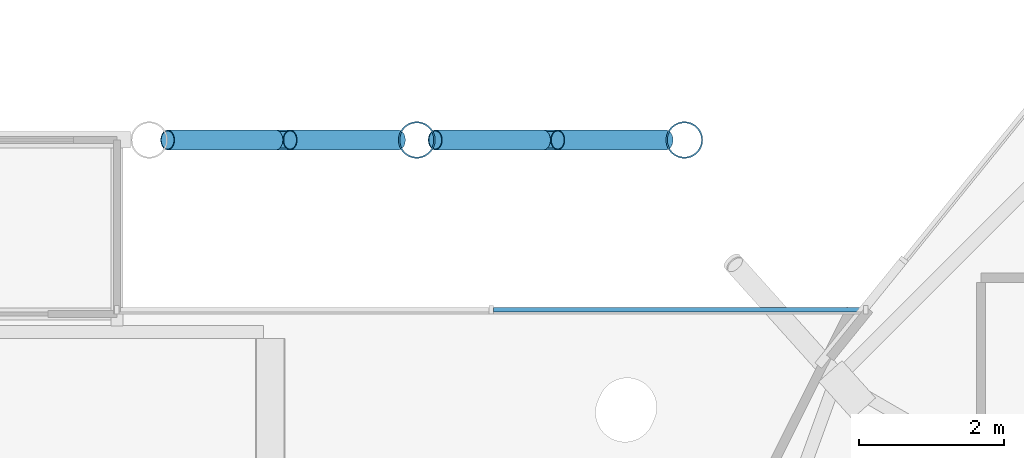
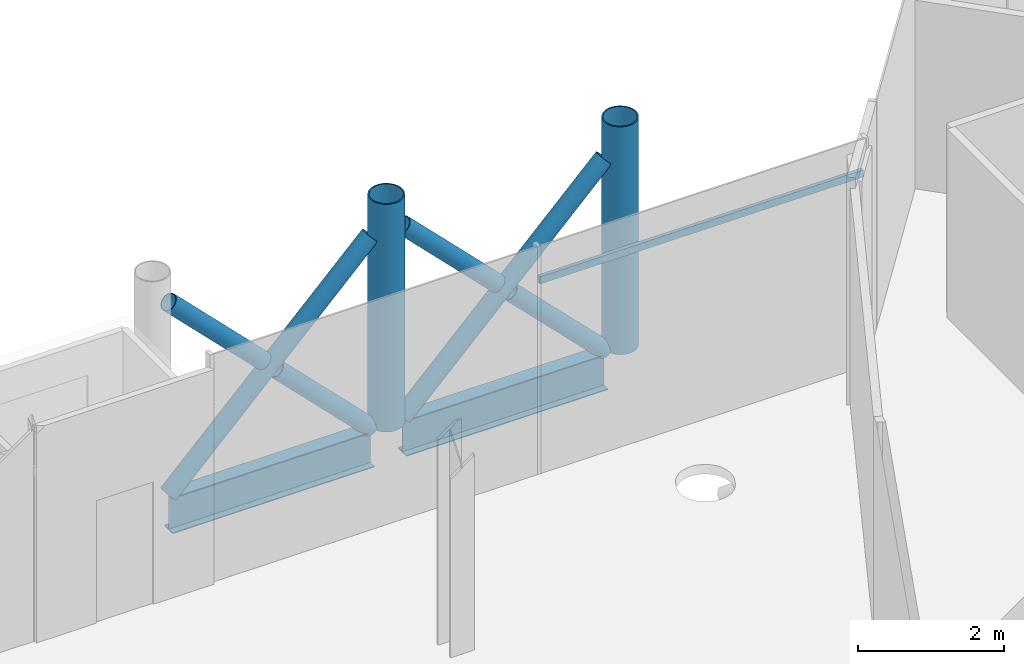
# One storey, part 12 of 40: 9 members, 2 beams, 1 element without a shape of its own.
"""IFC4 building model written with IfcOpenShell, lengths in metres."""

import ifcopenshell
import ifcopenshell.guid

model = None  # the IFC model being written
_history = None  # IfcOwnerHistory: only IFC2X3 demands one
_inside = {}  # id of a spatial element -> (the spatial element, [elements in it])
_under = {}  # id of a project, library or spatial element -> (it, [spatial elements below it])
_declared = {}  # id of a project -> (the project, [libraries it declares])
_typed = {}  # id of a type object -> (the type object, [elements of that type])
_made_of = {}  # id of a material, layer set ... -> (it, [elements and type objects made of it])


def new_model(schema):
    """Start an empty IFC model of exactly this schema.

    Asked for "IFC4X3", IfcOpenShell would pick the latest addendum, in which some entities
    have other attributes; the version numbers below select the first issue.
    IFC2X3 requires an IfcOwnerHistory on every rooted entity: one is made here for all.
    """
    global model, _history
    if schema == "IFC4X3":
        model = ifcopenshell.file(schema_version=(4, 3, 0, 0))
    else:
        model = ifcopenshell.file(schema=schema)
    _inside.clear()
    _under.clear()
    _declared.clear()
    _typed.clear()
    _made_of.clear()
    _history = None
    if model.schema == "IFC2X3":
        org = make("IfcOrganization", Name="unknown")
        user = make(
            "IfcPersonAndOrganization",
            ThePerson=make("IfcPerson", FamilyName="unknown"),
            TheOrganization=org,
        )
        app = make(
            "IfcApplication",
            ApplicationDeveloper=org,
            Version="unknown",
            ApplicationFullName="unknown",
            ApplicationIdentifier="unknown",
        )
        _history = make(
            "IfcOwnerHistory",
            OwningUser=user,
            OwningApplication=app,
            ChangeAction="ADDED",
            CreationDate=0,
        )
    return model


def make(cls, **values):
    """One entity of the class cls with the attributes given. An attribute that is None is left unset."""
    return model.create_entity(
        cls, **{name: value for name, value in values.items() if value is not None}
    )


def rooted(cls, **values):
    """An entity with a GlobalId (a new one), such as an element, a storey or a relation."""
    return make(cls, GlobalId=ifcopenshell.guid.new(), OwnerHistory=_history, **values)


def si_unit(unit_type, name, prefix=None):
    """IfcSIUnit, for example si_unit("LENGTHUNIT", "METRE", prefix="MILLI")."""
    return make("IfcSIUnit", UnitType=unit_type, Prefix=prefix, Name=name)


def assignment(units):
    """IfcUnitAssignment: the units of a project."""
    return None if units is None else make("IfcUnitAssignment", Units=units)


def point(xyz):
    """IfcCartesianPoint."""
    return None if xyz is None else make("IfcCartesianPoint", Coordinates=xyz)


def direction(xyz):
    """IfcDirection."""
    return None if xyz is None else make("IfcDirection", DirectionRatios=xyz)


def frame(location, z_axis=None, x_axis=None):
    """IfcAxis2Placement3D, a coordinate frame: its origin and axes. An axis left out is left unset."""
    return make(
        "IfcAxis2Placement3D",
        Location=point(location),
        Axis=direction(z_axis),
        RefDirection=direction(x_axis),
    )


def frame_2d(location, x_axis=None):
    """IfcAxis2Placement2D, a coordinate frame in the plane: its origin and x axis."""
    return make(
        "IfcAxis2Placement2D", Location=point(location), RefDirection=direction(x_axis)
    )


def origin():
    """The frame at (0, 0, 0) with its axes left unset."""
    return frame((0.0, 0.0, 0.0))


def origin_2d():
    """The frame at (0, 0) in the plane with its x axis left unset."""
    return frame_2d((0.0, 0.0))


def place(relative_to, where):
    """IfcLocalPlacement: puts the frame where relative to a parent placement (None: the world)."""
    return make(
        "IfcLocalPlacement", PlacementRelTo=relative_to, RelativePlacement=where
    )


def context(
    kind, dimensions, precision=None, world=None, true_north=None, identifier=None
):
    """IfcGeometricRepresentationContext, for example the 3D "Model" context."""
    return make(
        "IfcGeometricRepresentationContext",
        ContextIdentifier=identifier,
        ContextType=kind,
        CoordinateSpaceDimension=dimensions,
        Precision=precision,
        WorldCoordinateSystem=world,
        TrueNorth=true_north,
    )


def subcontext(parent, identifier, kind, view, scale=None):
    """IfcGeometricRepresentationSubContext, for example "Body" below "Model"."""
    return make(
        "IfcGeometricRepresentationSubContext",
        ContextIdentifier=identifier,
        ContextType=kind,
        ParentContext=parent,
        TargetScale=scale,
        TargetView=view,
    )


def project(units=None, contexts=None):
    """IfcProject with its units and contexts."""
    return rooted(
        "IfcProject",
        Name="project",
        RepresentationContexts=contexts,
        UnitsInContext=assignment(units),
    )


def spatial(cls, under=None, at=None, **own):
    """A site, building, storey or space (cls), placed at a placement, below another one or the project."""
    s = rooted(cls, ObjectPlacement=at, **own)
    if under is not None:
        _under.setdefault(under.id(), (under, []))[1].append(s)
    return s


def profile(cls, at=None, kind="AREA", **sizes):
    """A parametric profile (cls). Its sizes go by their IFC names, for example OverallWidth=200.0."""
    return make(cls, ProfileType=kind, Position=at, **sizes)


def rectangle(**sizes):
    """IfcRectangleProfileDef."""
    return profile("IfcRectangleProfileDef", **sizes)


def hollow_circle(**sizes):
    """IfcCircleHollowProfileDef."""
    return profile("IfcCircleHollowProfileDef", **sizes)


def i_section(**sizes):
    """IfcIShapeProfileDef."""
    return profile("IfcIShapeProfileDef", **sizes)


def extrude(swept, where, along, depth):
    """IfcExtrudedAreaSolid: the profile swept, set in the frame where, extruded along a direction by depth."""
    return make(
        "IfcExtrudedAreaSolid",
        SweptArea=swept,
        Position=where,
        ExtrudedDirection=direction(along),
        Depth=depth,
    )


def shape(context_of_items, identifier, shape_type, items):
    """IfcShapeRepresentation: the items that make up one representation, for example the "Body"."""
    return make(
        "IfcShapeRepresentation",
        ContextOfItems=context_of_items,
        RepresentationIdentifier=identifier,
        RepresentationType=shape_type,
        Items=items,
    )


def material(Name=None, Category=None):
    """IfcMaterial."""
    return make("IfcMaterial", Name=Name, Category=Category)


def material_profile(
    of_material, cross_section, Name=None, Category=None, Priority=None
):
    """IfcMaterialProfile: a cross section and its material."""
    return make(
        "IfcMaterialProfile",
        Name=Name,
        Material=of_material,
        Profile=cross_section,
        Priority=Priority,
        Category=Category,
    )


def profile_set(profiles, Name=None, composite=None):
    """IfcMaterialProfileSet."""
    return make(
        "IfcMaterialProfileSet",
        Name=Name,
        MaterialProfiles=profiles,
        CompositeProfile=composite,
    )


def made_of(thing, what):
    """Note that an element or type object is made of a material, layer set ...; save() writes the relation."""
    if what is not None:
        _made_of.setdefault(what.id(), (what, []))[1].append(thing)
    return thing


def type_object(cls, material=None, **own):
    """A type object (cls), such as IfcWallType, which elements share."""
    return made_of(rooted(cls, **own), material)


def element(
    cls,
    number,
    at=None,
    inside=None,
    cuts=None,
    type_object=None,
    material=None,
    context=None,
    identifier="Body",
    shape_type=None,
    held_by="IfcProductDefinitionShape",
    body=None,
    shapes=None,
    **own,
):
    """One element of the class cls, such as IfcWall. Its Tag is "e" and its number.

    at: its placement. inside: the storey or other place that contains it. cuts: it is an
    opening in that element (IfcRelVoidsElement). A single representation is given by context,
    identifier, shape_type and body (its items); several are given by shapes. held_by: the class
    of the entity that holds the representations. save() writes the other relations.
    """
    e = rooted(cls, Tag="e%d" % number, ObjectPlacement=at, **own)
    if body is not None:
        shapes = [shape(context, identifier, shape_type, body)]
    if shapes is not None:
        e.Representation = make(held_by, Representations=shapes)
    if inside is not None:
        _inside.setdefault(inside.id(), (inside, []))[1].append(e)
    if cuts is not None:
        rooted(
            "IfcRelVoidsElement", RelatingBuildingElement=cuts, RelatedOpeningElement=e
        )
    if type_object is not None:
        _typed.setdefault(type_object.id(), (type_object, []))[1].append(e)
    return made_of(e, material)


def aggregate(whole, parts):
    """IfcRelAggregates: a whole, such as a stair, and the parts it consists of."""
    return rooted("IfcRelAggregates", RelatingObject=whole, RelatedObjects=parts)


def save(model, path):
    """Write the relations noted so far, then the file.

    IfcRelAggregates (storeys below a building ...), IfcRelContainedInSpatialStructure (elements
    in a storey), IfcRelDefinesByType, IfcRelAssociatesMaterial and IfcRelDeclares: one each for
    every whole, place, type object, material and project.
    """
    for whole, parts in _under.values():
        aggregate(whole, parts)
    for where, things in _inside.values():
        rooted(
            "IfcRelContainedInSpatialStructure",
            RelatedElements=things,
            RelatingStructure=where,
        )
    for kind, things in _typed.values():
        rooted("IfcRelDefinesByType", RelatedObjects=things, RelatingType=kind)
    for what, things in _made_of.values():
        rooted("IfcRelAssociatesMaterial", RelatedObjects=things, RelatingMaterial=what)
    for by, libraries in _declared.values():
        rooted("IfcRelDeclares", RelatingContext=by, RelatedDefinitions=libraries)
    model.write(path)


model = new_model("IFC4")

# Units and contexts
model_context = context("Model", 3, precision=1e-05, world=origin(), true_north=direction((0.0, 1.0)))
body_context = subcontext(model_context, "Body", "Model", "MODEL_VIEW")
ifc_project = project(units=[si_unit("LENGTHUNIT", "METRE"), si_unit("AREAUNIT", "SQUARE_METRE"), si_unit("VOLUMEUNIT", "CUBIC_METRE"), si_unit("PLANEANGLEUNIT", "RADIAN"), si_unit("MASSUNIT", "GRAM", prefix="KILO")], contexts=[model_context])

# Site, building, storey
site_placement = place(None, origin())
site = spatial("IfcSite", under=ifc_project, at=site_placement, CompositionType="ELEMENT")
building_placement = place(site_placement, origin())
building = spatial("IfcBuilding", under=site, at=building_placement, Name="Rimbun Link Towers", CompositionType="ELEMENT")
storey_placement = place(building_placement, frame((0.0, 0.0, 150.60009765625)))
storey = spatial("IfcBuildingStorey", under=building, at=storey_placement, Name="L36", CompositionType="ELEMENT", Elevation=150.60009765625)

# Curtain wall, member
ifc_material_1 = material(Name="Aluminium 6063-T6 and low-iron glass", Category="aluminium")
curtain_wall_type = type_object("IfcCurtainWallType", Name="CW4 link block wall", PredefinedType="NOTDEFINED", material=ifc_material_1)
curtain_wall_placement = place(storey_placement, origin())
curtain_wall = element("IfcCurtainWall", 1, at=curtain_wall_placement, inside=storey, type_object=curtain_wall_type, Name="CW4 L36 LB", PredefinedType="NOTDEFINED")
ifc_material_2 = material(Name="Aluminium 6063-T6", Category="aluminium")
ifc_material_profile_1 = material_profile(ifc_material_2, rectangle(XDim=0.06005859375, YDim=0.1201171875, at=origin_2d()), Name="TRANSOM 60X120")
ifc_profile_set_1 = profile_set([ifc_material_profile_1], Name="Aluminium 6063-T6")
member_type_1 = type_object("IfcMemberType", Name="CW4 transom 60X120", PredefinedType="USERDEFINED", material=ifc_profile_set_1)
member_1_placement = place(storey_placement, frame((9.52880859375, 11.05810546875, 3.199951171875), z_axis=(1.0, 0.0, 0.0), x_axis=(0.0, 1.0, 0.0)))
member_1 = element("IfcMember", 2, at=member_1_placement, type_object=member_type_1, Name="CW4 transom", ObjectType="TRANSOM", PredefinedType="USERDEFINED", context=body_context, shape_type="SweptSolid", body=[
    extrude(rectangle(XDim=0.06005859375, YDim=0.1201171875, at=origin_2d()), origin(), (0.0, 0.0, 1.0), 5.101806640625),
])
aggregate(curtain_wall, [member_1])

# Members
ifc_material_3 = material(Name="Steel S355J2H", Category="steel")
ifc_material_profile_2 = material_profile(ifc_material_3, hollow_circle(Radius=0.136474609375, WallThickness=0.012451171875, at=origin_2d()), Name="CHS 273x12.5")
ifc_profile_set_2 = profile_set([ifc_material_profile_2], Name="Steel S355J2H")
member_type_2 = type_object("IfcMemberType", Name="Link megaframe brace CHS 273x12.5", PredefinedType="BRACE", material=ifc_profile_set_2)
member_2_placement = place(storey_placement, frame((5.03564453125, 13.39990234375, -0.22021484375), z_axis=(0.70537275443, 0.0, 0.708836566007), x_axis=(0.0, 1.0, 0.0)))
element("IfcMember", 3, at=member_2_placement, inside=storey, type_object=member_type_2, Name="Link megaframe brace N4-5 bay 5.1", PredefinedType="BRACE", context=body_context, shape_type="SweptSolid", body=[
    extrude(hollow_circle(Radius=0.136474609375, WallThickness=0.012451171875, at=origin_2d()), origin(), (0.0, 0.0, 1.0), 4.510986328125),
])
for number, where, z_axis, x_axis, name in (
    (4, (8.217529296875, 13.39990234375, -0.22021484375), (-0.70537354252, 0.0, 0.708835781767), (0.0, -1.0, 0.0), "Link megaframe brace N4-5 bay 5.2a"),
    (5, (6.52783203125, 13.39990234375, 1.477783203125), (-0.70537354252, 0.0, 0.708835781767), (0.0, -1.0, 0.0), "Link megaframe brace N4-5 bay 5.2b"),
):
    element("IfcMember", number, at=place(storey_placement, frame(where, z_axis=z_axis, x_axis=x_axis)), inside=storey, type_object=member_type_2, Name=name, PredefinedType="BRACE", context=body_context, shape_type="SweptSolid", body=[
        extrude(hollow_circle(Radius=0.136474609375, WallThickness=0.012451171875, at=origin_2d()), origin(), (0.0, 0.0, 1.0), 2.115478515625),
    ])
member_3_placement = place(storey_placement, frame((8.7255859375, 13.39990234375, -0.22021484375), z_axis=(0.70537275443, 0.0, 0.708836566007), x_axis=(0.0, 1.0, 0.0)))
element("IfcMember", 6, at=member_3_placement, inside=storey, type_object=member_type_2, Name="Link megaframe brace N5-6 bay 5.1", PredefinedType="BRACE", context=body_context, shape_type="SweptSolid", body=[
    extrude(hollow_circle(Radius=0.136474609375, WallThickness=0.012451171875, at=origin_2d()), origin(), (0.0, 0.0, 1.0), 4.510986328125),
])
for number, where, z_axis, x_axis, name in (
    (7, (11.907470703125, 13.39990234375, -0.22021484375), (-0.70537354252, 0.0, 0.708835781767), (0.0, -1.0, 0.0), "Link megaframe brace N5-6 bay 5.2a"),
    (8, (10.2177734375, 13.39990234375, 1.477783203125), (-0.70537354252, 0.0, 0.708835781767), (0.0, -1.0, 0.0), "Link megaframe brace N5-6 bay 5.2b"),
):
    element("IfcMember", number, at=place(storey_placement, frame(where, z_axis=z_axis, x_axis=x_axis)), inside=storey, type_object=member_type_2, Name=name, PredefinedType="BRACE", context=body_context, shape_type="SweptSolid", body=[
        extrude(hollow_circle(Radius=0.136474609375, WallThickness=0.012451171875, at=origin_2d()), origin(), (0.0, 0.0, 1.0), 2.115478515625),
    ])
ifc_material_4 = material(Name="Steel S355J2H", Category="steel")
ifc_material_profile_3 = material_profile(ifc_material_4, hollow_circle(Radius=0.25390625, WallThickness=0.02001953125, at=origin_2d()), Name="CHS 508x20")
ifc_profile_set_3 = profile_set([ifc_material_profile_3], Name="Steel S355J2H")
member_type_3 = type_object("IfcMemberType", Name="Link megaframe post CHS 508x20", PredefinedType="POST", material=ifc_profile_set_3)
for number, where, z_axis, x_axis, name in (
    (9, (8.4716796875, 13.39990234375, -0.22021484375), (0.0, 0.0, 1.0), (1.0, 0.0, 0.0), "Link megaframe post N5 bay 5"),
    (10, (12.16162109375, 13.39990234375, -0.22021484375), (0.0, 0.0, 1.0), (1.0, 0.0, 0.0), "Link megaframe post N6 bay 5"),
):
    element("IfcMember", number, at=place(storey_placement, frame(where, z_axis=z_axis, x_axis=x_axis)), inside=storey, type_object=member_type_3, Name=name, PredefinedType="POST", context=body_context, shape_type="SweptSolid", body=[
        extrude(hollow_circle(Radius=0.25390625, WallThickness=0.02001953125, at=origin_2d()), origin(), (0.0, 0.0, 1.0), 3.800048828125),
    ])

# Beams
ifc_material_5 = material(Name="Steel S355J2", Category="steel")
ifc_material_profile_4 = material_profile(ifc_material_5, i_section(OverallWidth=0.2275390625, OverallDepth=0.6025390625, WebThickness=0.010498046875, FlangeThickness=0.014892578125, at=origin_2d()), Name="UB 610x229x101")
ifc_profile_set_4 = profile_set([ifc_material_profile_4], Name="Steel S355J2")
beam_type = type_object("IfcBeamType", Name="Link megaframe ring beam UB 610x229x101", PredefinedType="BEAM", material=ifc_profile_set_4)
for number, where, z_axis, x_axis, name in (
    (11, (5.03564453125, 13.39990234375, -0.521484375), (1.0, 0.0, 0.0), (0.0, 1.0, 0.0), "Link megaframe ring beam N4-5 L36"),
    (12, (8.7255859375, 13.39990234375, -0.521484375), (1.0, 0.0, 0.0), (0.0, 1.0, 0.0), "Link megaframe ring beam N5-6 L36"),
):
    element("IfcBeam", number, at=place(storey_placement, frame(where, z_axis=z_axis, x_axis=x_axis)), inside=storey, type_object=beam_type, Name=name, PredefinedType="BEAM", context=body_context, shape_type="SweptSolid", body=[
        extrude(i_section(OverallWidth=0.2275390625, OverallDepth=0.6025390625, WebThickness=0.010498046875, FlangeThickness=0.014892578125, at=origin_2d()), origin(), (0.0, 0.0, 1.0), 3.181884765625),
    ])

save(model, "model.ifc")
